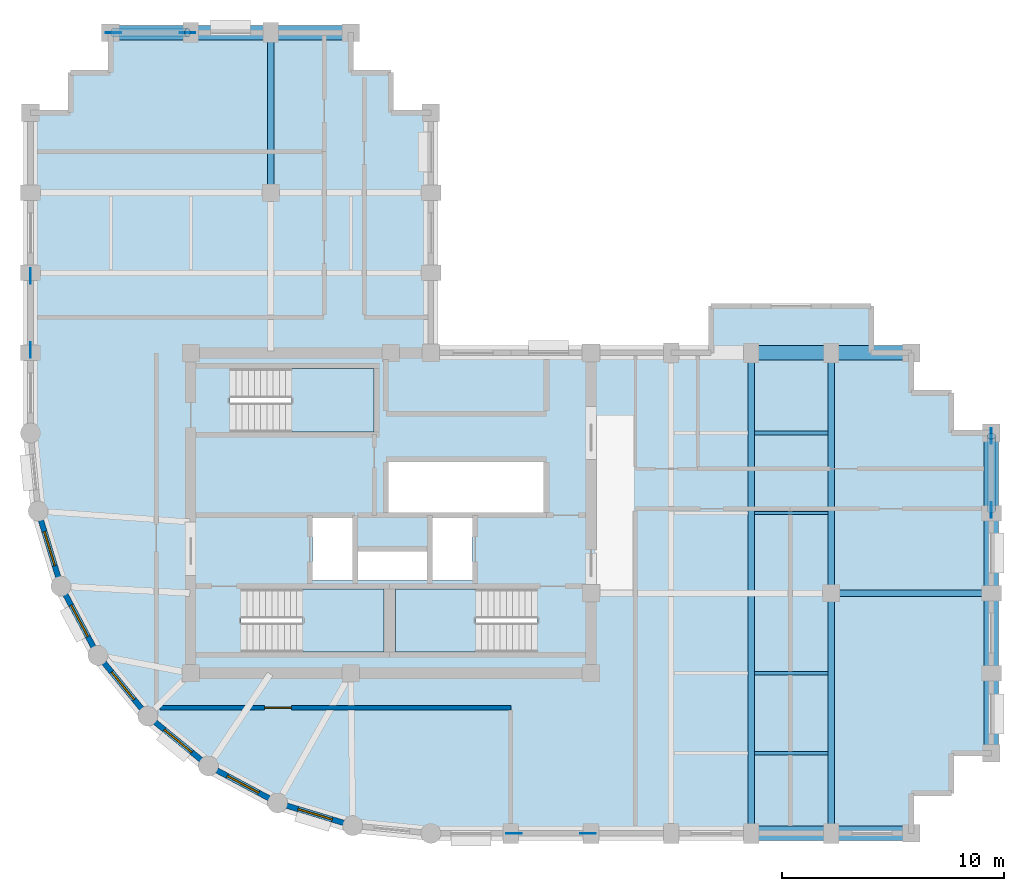
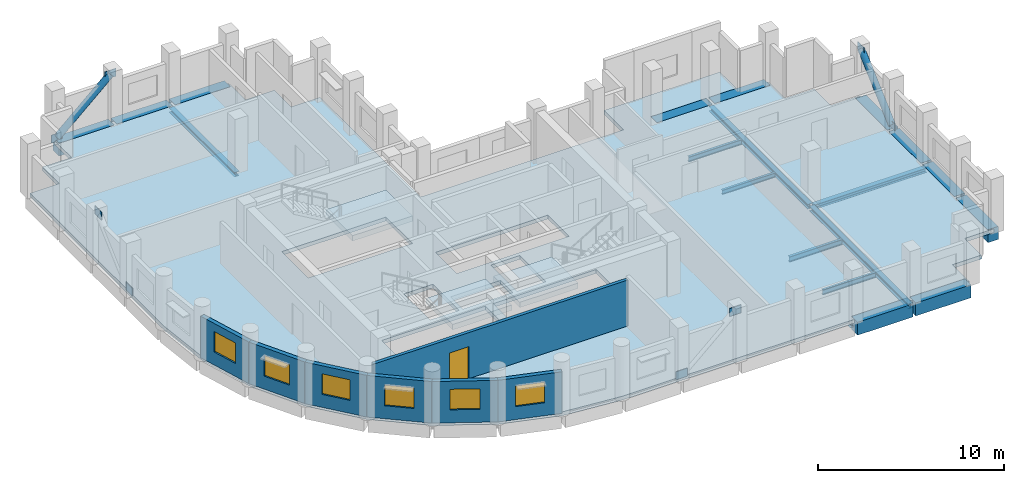
# One storey, part 2 of 7: 20 beams, 8 plates, 7 walls, 6 windows, 4 slabs, 2 members, 1 door, 7 openings, 3 elements without a shape of their own.
"""IFC4 building model written with IfcOpenShell, lengths in metres."""

from ifc_helpers import new_model, si_unit, direction, frame, frame_2d, origin, origin_2d, place, context, subcontext, project, spatial, polyline, rectangle, hollow_circle, i_section, outline, extrude, material, layer, layer_set, material_profile, profile_set, type_object, element, fill, aggregate, save


model = new_model("IFC4")

# Units and contexts
model_context = context("Model", 3, precision=1e-05, world=origin(), true_north=direction((0.0, 1.0)))
body_context = subcontext(model_context, "Body", "Model", "MODEL_VIEW")
ifc_project = project(units=[si_unit("LENGTHUNIT", "METRE"), si_unit("AREAUNIT", "SQUARE_METRE"), si_unit("VOLUMEUNIT", "CUBIC_METRE"), si_unit("PLANEANGLEUNIT", "RADIAN"), si_unit("MASSUNIT", "GRAM", prefix="KILO")], contexts=[model_context])

# Site, building, storey
site_placement = place(None, origin())
site = spatial("IfcSite", under=ifc_project, at=site_placement, CompositionType="ELEMENT")
building_placement = place(site_placement, origin())
building = spatial("IfcBuilding", under=site, at=building_placement, Name="Solnavia Interchange Tower", CompositionType="ELEMENT")
storey_placement = place(building_placement, frame((0.0, 0.0, 213.800048828125)))
storey = spatial("IfcBuildingStorey", under=building, at=storey_placement, Name="L53", CompositionType="ELEMENT", Elevation=213.800048828125)

# Beams
ifc_material_1 = material(Name="Steel S460", Category="steel")
ifc_material_profile_1 = material_profile(ifc_material_1, i_section(OverallWidth=0.300048828125, OverallDepth=0.300048828125, WebThickness=0.010986328125, FlangeThickness=0.01904296875, FilletRadius=0.027099609375, at=origin_2d()), Name="HEB 300")
ifc_profile_set_1 = profile_set([ifc_material_profile_1], Name="Steel S460")
beam_type_1 = type_object("IfcBeamType", Name="Beam-Girder-HEB300", PredefinedType="BEAM", material=ifc_profile_set_1)
beam_1_placement = place(storey_placement, frame((43.280029296875, 14.39990234375, -0.400146484375), z_axis=(1.0, 0.0, 0.0), x_axis=(0.0, 1.0, 0.0)))
element("IfcBeam", 1, at=beam_1_placement, inside=storey, type_object=beam_type_1, Name="GRD-L53-ES02 East wing spine girder", PredefinedType="BEAM", context=body_context, shape_type="SweptSolid", body=[
    extrude(i_section(OverallWidth=0.300048828125, OverallDepth=0.300048828125, WebThickness=0.010986328125, FlangeThickness=0.01904296875, FilletRadius=0.027099609375, at=origin_2d()), origin(), (0.0, 0.0, 1.0), 7.0400390625),
])
beam_2_placement = place(storey_placement, frame((39.60009765625, 3.679931640625, -0.400146484375), z_axis=(0.0, 1.0, 0.0), x_axis=(-1.0, 0.0, 0.0)))
element("IfcBeam", 2, at=beam_2_placement, inside=storey, type_object=beam_type_1, Name="GRD-L53-EW04 East wing primary floor girder", PredefinedType="BEAM", context=body_context, shape_type="SweptSolid", body=[
    extrude(i_section(OverallWidth=0.300048828125, OverallDepth=0.300048828125, WebThickness=0.010986328125, FlangeThickness=0.01904296875, FilletRadius=0.027099609375, at=origin_2d()), origin(), (0.0, 0.0, 1.0), 21.440185546875),
])
beam_3_placement = place(storey_placement, frame((18.0, 32.47998046875, -0.400146484375), z_axis=(0.0, 1.0, 0.0), x_axis=(-1.0, 0.0, 0.0)))
element("IfcBeam", 3, at=beam_3_placement, inside=storey, type_object=beam_type_1, Name="GRD-L53-NS08 North wing spine girder", PredefinedType="BEAM", context=body_context, shape_type="SweptSolid", body=[
    extrude(i_section(OverallWidth=0.300048828125, OverallDepth=0.300048828125, WebThickness=0.010986328125, FlangeThickness=0.01904296875, FilletRadius=0.027099609375, at=origin_2d()), origin(), (0.0, 0.0, 1.0), 7.0400390625),
])
ifc_material_2 = material(Name="Steel S355", Category="steel")
ifc_material_profile_2 = material_profile(ifc_material_2, i_section(OverallWidth=0.14990234375, OverallDepth=0.300048828125, WebThickness=0.007080078125, FlangeThickness=0.0107421875, FilletRadius=0.014892578125, at=origin_2d()), Name="IPE 300")
ifc_profile_set_2 = profile_set([ifc_material_profile_2], Name="Steel S355")
beam_type_2 = type_object("IfcBeamType", Name="Beam-Joist-IPE300", PredefinedType="JOIST", material=ifc_profile_set_2)
beam_4_placement = place(storey_placement, frame((39.75, 18.0, -0.400146484375), z_axis=(1.0, 0.0, 0.0), x_axis=(0.0, 1.0, 0.0)))
element("IfcBeam", 4, at=beam_4_placement, inside=storey, type_object=beam_type_2, Name="JST-L53-E06 East wing secondary joist", PredefinedType="JOIST", context=body_context, shape_type="SweptSolid", body=[
    extrude(i_section(OverallWidth=0.14990234375, OverallDepth=0.300048828125, WebThickness=0.007080078125, FlangeThickness=0.0107421875, FilletRadius=0.014892578125, at=origin_2d()), origin(), (0.0, 0.0, 1.0), 3.300048828125),
])
ifc_material_profile_3 = material_profile(ifc_material_2, i_section(OverallWidth=0.159912109375, OverallDepth=0.330078125, WebThickness=0.007568359375, FlangeThickness=0.011474609375, FilletRadius=0.01806640625, at=origin_2d()), Name="IPE 330")
ifc_profile_set_3 = profile_set([ifc_material_profile_3], Name="Steel S355")
beam_type_3 = type_object("IfcBeamType", Name="Beam-Joist-IPE330", PredefinedType="JOIST", material=ifc_profile_set_3)
for number, where, z_axis, x_axis, name in (
    (5, (39.75, 7.199951171875, -0.4150390625), (1.0, 0.0, 0.0), (0.0, 1.0, 0.0), "JST-L53-E02 East wing secondary joist"),
    (6, (39.75, 21.60009765625, -0.4150390625), (1.0, 0.0, 0.0), (0.0, 1.0, 0.0), "JST-L53-E08 East wing secondary joist"),
):
    element("IfcBeam", number, at=place(storey_placement, frame(where, z_axis=z_axis, x_axis=x_axis)), inside=storey, type_object=beam_type_3, Name=name, PredefinedType="JOIST", context=body_context, shape_type="SweptSolid", body=[
        extrude(i_section(OverallWidth=0.159912109375, OverallDepth=0.330078125, WebThickness=0.007568359375, FlangeThickness=0.011474609375, FilletRadius=0.01806640625, at=origin_2d()), origin(), (0.0, 0.0, 1.0), 3.300048828125),
    ])
ifc_material_profile_4 = material_profile(ifc_material_2, i_section(OverallWidth=0.169921875, OverallDepth=0.360107421875, WebThickness=0.008056640625, FlangeThickness=0.0126953125, FilletRadius=0.01806640625, at=origin_2d()), Name="IPE 360")
ifc_profile_set_4 = profile_set([ifc_material_profile_4], Name="Steel S355")
beam_type_4 = type_object("IfcBeamType", Name="Beam-Joist-IPE360", PredefinedType="JOIST", material=ifc_profile_set_4)
beam_5_placement = place(storey_placement, frame((39.75, 10.800048828125, -0.429931640625), z_axis=(1.0, 0.0, 0.0), x_axis=(0.0, 1.0, 0.0)))
element("IfcBeam", 7, at=beam_5_placement, inside=storey, type_object=beam_type_4, Name="JST-L53-E04 East wing secondary joist", PredefinedType="JOIST", context=body_context, shape_type="SweptSolid", body=[
    extrude(i_section(OverallWidth=0.169921875, OverallDepth=0.360107421875, WebThickness=0.008056640625, FlangeThickness=0.0126953125, FilletRadius=0.01806640625, at=origin_2d()), origin(), (0.0, 0.0, 1.0), 3.300048828125),
])
ifc_material_profile_5 = material_profile(ifc_material_2, i_section(OverallWidth=0.300048828125, OverallDepth=0.31005859375, WebThickness=0.009033203125, FlangeThickness=0.015380859375, FilletRadius=0.027099609375, at=origin_2d()), Name="HEA 320")
ifc_profile_set_5 = profile_set([ifc_material_profile_5], Name="Steel S355")
beam_type_5 = type_object("IfcBeamType", Name="Beam-Primary-HEA320", PredefinedType="BEAM", material=ifc_profile_set_5)
for number, where, z_axis, x_axis, name in (
    (8, (43.199951171875, 3.679931640625, -0.405029296875), (0.0, 1.0, 0.0), (-1.0, 0.0, 0.0), "GRD-L53-EW05 East wing primary floor girder"),
    (9, (43.199951171875, 14.47998046875, -0.405029296875), (0.0, 1.0, 0.0), (-1.0, 0.0, 0.0), "GRD-L53-EW06 East wing primary floor girder"),
):
    element("IfcBeam", number, at=place(storey_placement, frame(where, z_axis=z_axis, x_axis=x_axis)), inside=storey, type_object=beam_type_5, Name=name, PredefinedType="BEAM", context=body_context, shape_type="SweptSolid", body=[
        extrude(i_section(OverallWidth=0.300048828125, OverallDepth=0.31005859375, WebThickness=0.009033203125, FlangeThickness=0.015380859375, FilletRadius=0.027099609375, at=origin_2d()), origin(), (0.0, 0.0, 1.0), 10.64013671875),
    ])
ifc_material_3 = material(Name="Concrete C50/60", Category="concrete")
ifc_material_profile_6 = material_profile(ifc_material_3, rectangle(XDim=0.64990234375, YDim=0.85009765625, at=origin_2d()), Name="RC 650x850")
ifc_profile_set_6 = profile_set([ifc_material_profile_6], Name="Concrete C50/60")
beam_type_6 = type_object("IfcBeamType", Name="Beam-Spandrel-RC650x850", PredefinedType="SPANDREL", material=ifc_profile_set_6)
beam_6_placement = place(storey_placement, frame((39.679931640625, 3.60009765625, -0.425048828125), z_axis=(1.0, 0.0, 0.0), x_axis=(0.0, 1.0, 0.0)))
element("IfcBeam", 10, at=beam_6_placement, inside=storey, type_object=beam_type_6, Name="SPB-L53-13 Framed-tube perimeter spandrel beam", PredefinedType="SPANDREL", context=body_context, shape_type="SweptSolid", body=[
    extrude(rectangle(XDim=0.64990234375, YDim=0.85009765625, at=origin_2d()), origin(), (0.0, 0.0, 1.0), 3.440185546875),
])
for number, where, z_axis, x_axis, name in (
    (11, (43.280029296875, 3.60009765625, -0.425048828125), (1.0, 0.0, 0.0), (0.0, 1.0, 0.0), "SPB-L53-14 Framed-tube perimeter spandrel beam"),
    (12, (50.39990234375, 7.280029296875, -0.425048828125), (0.0, 1.0, 0.0), (-1.0, 0.0, 0.0), "SPB-L53-15 Framed-tube perimeter spandrel beam"),
):
    element("IfcBeam", number, at=place(storey_placement, frame(where, z_axis=z_axis, x_axis=x_axis)), inside=storey, type_object=beam_type_6, Name=name, PredefinedType="SPANDREL", context=body_context, shape_type="SweptSolid", body=[
        extrude(rectangle(XDim=0.64990234375, YDim=0.85009765625, at=origin_2d()), origin(), (0.0, 0.0, 1.0), 3.43994140625),
    ])
beam_7_placement = place(storey_placement, frame((50.39990234375, 10.8798828125, -0.425048828125), z_axis=(0.0, 1.0, 0.0), x_axis=(-1.0, 0.0, 0.0)))
element("IfcBeam", 13, at=beam_7_placement, inside=storey, type_object=beam_type_6, Name="SPB-L53-16 Framed-tube perimeter spandrel beam", PredefinedType="SPANDREL", context=body_context, shape_type="SweptSolid", body=[
    extrude(rectangle(XDim=0.64990234375, YDim=0.85009765625, at=origin_2d()), origin(), (0.0, 0.0, 1.0), 3.440185546875),
])
for number, where, z_axis, x_axis, name in (
    (14, (50.39990234375, 14.47998046875, -0.425048828125), (0.0, 1.0, 0.0), (-1.0, 0.0, 0.0), "SPB-L53-17 Framed-tube perimeter spandrel beam"),
    (15, (50.39990234375, 18.080078125, -0.425048828125), (0.0, 1.0, 0.0), (-1.0, 0.0, 0.0), "SPB-L53-18 Framed-tube perimeter spandrel beam"),
    (16, (46.719970703125, 25.199951171875, -0.425048828125), (-1.0, 0.0, 0.0), (0.0, -1.0, 0.0), "SPB-L53-19 Framed-tube perimeter spandrel beam"),
):
    element("IfcBeam", number, at=place(storey_placement, frame(where, z_axis=z_axis, x_axis=x_axis)), inside=storey, type_object=beam_type_6, Name=name, PredefinedType="SPANDREL", context=body_context, shape_type="SweptSolid", body=[
        extrude(rectangle(XDim=0.64990234375, YDim=0.85009765625, at=origin_2d()), origin(), (0.0, 0.0, 1.0), 3.43994140625),
    ])
beam_8_placement = place(storey_placement, frame((43.1201171875, 25.199951171875, -0.425048828125), z_axis=(-1.0, 0.0, 0.0), x_axis=(0.0, -1.0, 0.0)))
element("IfcBeam", 17, at=beam_8_placement, inside=storey, type_object=beam_type_6, Name="SPB-L53-20 Framed-tube perimeter spandrel beam", PredefinedType="SPANDREL", context=body_context, shape_type="SweptSolid", body=[
    extrude(rectangle(XDim=0.64990234375, YDim=0.85009765625, at=origin_2d()), origin(), (0.0, 0.0, 1.0), 3.440185546875),
])
for number, where, z_axis, x_axis, name in (
    (18, (21.52001953125, 39.60009765625, -0.425048828125), (-1.0, 0.0, 0.0), (0.0, -1.0, 0.0), "SPB-L53-27 Framed-tube perimeter spandrel beam"),
    (19, (17.919921875, 39.60009765625, -0.425048828125), (-1.0, 0.0, 0.0), (0.0, -1.0, 0.0), "SPB-L53-28 Framed-tube perimeter spandrel beam"),
):
    element("IfcBeam", number, at=place(storey_placement, frame(where, z_axis=z_axis, x_axis=x_axis)), inside=storey, type_object=beam_type_6, Name=name, PredefinedType="SPANDREL", context=body_context, shape_type="SweptSolid", body=[
        extrude(rectangle(XDim=0.64990234375, YDim=0.85009765625, at=origin_2d()), origin(), (0.0, 0.0, 1.0), 3.43994140625),
    ])
beam_9_placement = place(storey_placement, frame((14.320068359375, 39.60009765625, -0.425048828125), z_axis=(-1.0, 0.0, 0.0), x_axis=(0.0, -1.0, 0.0)))
element("IfcBeam", 20, at=beam_9_placement, inside=storey, type_object=beam_type_6, Name="SPB-L53-29 Framed-tube perimeter spandrel beam", PredefinedType="SPANDREL", context=body_context, shape_type="SweptSolid", body=[
    extrude(rectangle(XDim=0.64990234375, YDim=0.85009765625, at=origin_2d()), origin(), (0.0, 0.0, 1.0), 3.440185546875),
])

# Members
ifc_material_profile_7 = material_profile(ifc_material_1, hollow_circle(Radius=0.203125, WallThickness=0.02001953125, at=origin_2d()), Name="CHS 406.4x20")
ifc_profile_set_7 = profile_set([ifc_material_profile_7], Name="Steel S460")
member_type = type_object("IfcMemberType", Name="Brace-Perim-CHS406", PredefinedType="BRACE", material=ifc_profile_set_7)
for number, where, z_axis, x_axis, name in (
    (21, (50.39990234375, 18.139892578125, 0.179931640625), (0.0, 0.74307946371, 0.669203190827), (-1.0, 0.0, 0.0), "BRC-L53-03 Perimeter tube diagonal brace"),
    (22, (10.93994140625, 39.60009765625, 0.179931640625), (0.74307946371, 0.0, 0.669203190827), (0.0, 1.0, 0.0), "BRC-L53-04 Perimeter tube diagonal brace"),
):
    element("IfcMember", number, at=place(storey_placement, frame(where, z_axis=z_axis, x_axis=x_axis)), inside=storey, type_object=member_type, Name=name, PredefinedType="BRACE", context=body_context, shape_type="SweptSolid", body=[
        extrude(hollow_circle(Radius=0.203125, WallThickness=0.02001953125, at=origin_2d()), origin(), (0.0, 0.0, 1.0), 4.468017578125),
    ])

# Plates
ifc_layer_1 = layer(ifc_material_1, 0.030029296875)
ifc_layer_set_1 = layer_set([ifc_layer_1], Name="Steel S460")
plate_type = type_object("IfcPlateType", Name="Plate-Gusset-700x520x30", PredefinedType="USERDEFINED", material=ifc_layer_set_1)
for number, where, z_axis, x_axis, name in (
    (23, (28.93994140625, 3.60009765625, -0.080078125), (0.0, 0.0, 1.0), (1.0, 0.0, 0.0), "PLT-L53-GP01 Perimeter brace gusset plate"),
    (24, (32.260009765625, 3.60009765625, 2.909912109375), (0.0, 0.0, 1.0), (1.0, 0.0, 0.0), "PLT-L53-GP02 Perimeter brace gusset plate"),
    (25, (7.199951171875, 25.340087890625, -0.080078125), (0.0, 0.0, 1.0), (0.0, 1.0, 0.0), "PLT-L53-GP03 Perimeter brace gusset plate"),
    (26, (7.199951171875, 28.659912109375, 2.909912109375), (0.0, 0.0, 1.0), (0.0, 1.0, 0.0), "PLT-L53-GP04 Perimeter brace gusset plate"),
    (27, (50.39990234375, 18.139892578125, -0.080078125), (0.0, 0.0, 1.0), (0.0, 1.0, 0.0), "PLT-L53-GP05 Perimeter brace gusset plate"),
    (28, (50.39990234375, 21.4599609375, 2.909912109375), (0.0, 0.0, 1.0), (0.0, 1.0, 0.0), "PLT-L53-GP06 Perimeter brace gusset plate"),
    (29, (10.93994140625, 39.60009765625, -0.080078125), (0.0, 0.0, 1.0), (1.0, 0.0, 0.0), "PLT-L53-GP07 Perimeter brace gusset plate"),
    (30, (14.260009765625, 39.60009765625, 2.909912109375), (0.0, 0.0, 1.0), (1.0, 0.0, 0.0), "PLT-L53-GP08 Perimeter brace gusset plate"),
):
    element("IfcPlate", number, at=place(storey_placement, frame(where, z_axis=z_axis, x_axis=x_axis)), inside=storey, type_object=plate_type, Name=name, ObjectType="GUSSET PLATE", PredefinedType="USERDEFINED", context=body_context, shape_type="SweptSolid", body=[
        extrude(rectangle(XDim=0.699951171875, YDim=0.030029296875, at=origin_2d()), origin(), (0.0, 0.0, 1.0), 0.52001953125),
    ])

# Stair, slab
ifc_material_4 = material(Name="Concrete C40/50", Category="concrete")
stair_type = type_object("IfcStairType", Name="Stair-Dogleg-RC", PredefinedType="HALF_TURN_STAIR", material=ifc_material_4)
stair_1_placement = place(storey_placement, origin())
stair_1 = element("IfcStair", 31, at=stair_1_placement, inside=storey, type_object=stair_type, Name="L53 Core exit stair 1", PredefinedType="HALF_TURN_STAIR")
ifc_layer_2 = layer(ifc_material_4, 0.35009765625)
ifc_layer_set_2 = layer_set([ifc_layer_2], Name="Concrete C40/50")
slab_type_1 = type_object("IfcSlabType", Name="Slab-StairLanding-350", PredefinedType="LANDING", material=ifc_layer_set_2)
slab_1_placement = place(storey_placement, frame((0.0, 0.0, 1.449951171875)))
slab_1 = element("IfcSlab", 32, at=slab_1_placement, type_object=slab_type_1, Name="ST-1 landing 1", PredefinedType="LANDING", context=body_context, shape_type="SweptSolid", body=[
    extrude(outline(polyline([(19.427978515625, 11.75), (23.10009765625, 11.75), (23.10009765625, 14.590087890625), (19.427978515625, 14.590087890625), (19.427978515625, 11.75)])), origin(), (0.0, 0.0, 1.0), 0.35009765625),
])
aggregate(stair_1, [slab_1])

stair_2_placement = place(storey_placement, origin())
stair_2 = element("IfcStair", 33, at=stair_2_placement, inside=storey, type_object=stair_type, Name="L53 Core exit stair 2", PredefinedType="HALF_TURN_STAIR")
slab_2_placement = place(storey_placement, frame((0.0, 0.0, 1.449951171875)))
slab_2 = element("IfcSlab", 34, at=slab_2_placement, type_object=slab_type_1, Name="ST-2 landing 1", PredefinedType="LANDING", context=body_context, shape_type="SweptSolid", body=[
    extrude(outline(polyline([(23.60009765625, 11.75), (27.221923828125, 11.75), (27.221923828125, 14.590087890625), (23.60009765625, 14.590087890625), (23.60009765625, 11.75)])), origin(), (0.0, 0.0, 1.0), 0.35009765625),
])
aggregate(stair_2, [slab_2])

stair_3_placement = place(storey_placement, origin())
stair_3 = element("IfcStair", 35, at=stair_3_placement, inside=storey, type_object=stair_type, Name="L53 Core exit stair 3", PredefinedType="HALF_TURN_STAIR")
slab_3_placement = place(storey_placement, frame((0.0, 0.0, 1.449951171875)))
slab_3 = element("IfcSlab", 36, at=slab_3_placement, type_object=slab_type_1, Name="ST-3 landing 1", PredefinedType="LANDING", context=body_context, shape_type="SweptSolid", body=[
    extrude(outline(polyline([(18.927978515625, 21.64990234375), (22.64990234375, 21.64990234375), (22.64990234375, 24.489990234375), (18.927978515625, 24.489990234375), (18.927978515625, 21.64990234375)])), origin(), (0.0, 0.0, 1.0), 0.35009765625),
])
aggregate(stair_3, [slab_3])

# Slab
ifc_layer_3 = layer(ifc_material_4, 0.25)
ifc_layer_set_3 = layer_set([ifc_layer_3], Name="Concrete C40/50")
slab_type_2 = type_object("IfcSlabType", Name="Slab-Tower-250", PredefinedType="FLOOR", material=ifc_layer_set_3)
slab_4_placement = place(storey_placement, frame((0.0, 0.0, -0.25)))
element("IfcSlab", 37, at=slab_4_placement, inside=storey, type_object=slab_type_2, Name="SLB-L53-01 Structural floor slab", PredefinedType="FLOOR", context=body_context, shape_type="SweptSolid", body=[
    extrude(outline(polyline([(25.199951171875, 3.60009765625), (46.800048828125, 3.60009765625), (46.800048828125, 5.39990234375), (48.60009765625, 5.39990234375), (48.60009765625, 7.199951171875), (50.39990234375, 7.199951171875), (50.39990234375, 21.60009765625), (48.60009765625, 21.60009765625), (48.60009765625, 23.39990234375), (46.800048828125, 23.39990234375), (46.800048828125, 25.199951171875), (45.0, 25.199951171875), (45.0, 27.300048828125), (37.800048828125, 27.300048828125), (37.800048828125, 25.199951171875), (25.199951171875, 25.199951171875), (25.199951171875, 36.0), (23.39990234375, 36.0), (23.39990234375, 37.800048828125), (21.60009765625, 37.800048828125), (21.60009765625, 39.60009765625), (10.800048828125, 39.60009765625), (10.800048828125, 37.800048828125), (9.0, 37.800048828125), (9.0, 36.0), (7.199951171875, 36.0), (7.199951171875, 21.60009765625), (7.5458984375, 18.087890625), (8.570068359375, 14.7119140625), (10.23388671875, 11.60009765625), (12.471923828125, 8.8720703125), (15.199951171875, 6.634033203125), (18.31201171875, 4.969970703125), (21.68798828125, 3.946044921875), (25.199951171875, 3.60009765625)]), holes=[polyline([(16.675048828125, 11.75), (23.10009765625, 11.75), (23.10009765625, 14.590087890625), (16.675048828125, 14.590087890625), (16.675048828125, 11.75)]), polyline([(23.60009765625, 11.75), (29.97509765625, 11.75), (29.97509765625, 14.590087890625), (23.60009765625, 14.590087890625), (23.60009765625, 11.75)]), polyline([(16.175048828125, 21.64990234375), (22.64990234375, 21.64990234375), (22.64990234375, 24.489990234375), (16.175048828125, 24.489990234375), (16.175048828125, 21.64990234375)]), polyline([(19.8798828125, 14.9599609375), (21.679931640625, 14.9599609375), (21.679931640625, 17.780029296875), (19.8798828125, 17.780029296875), (19.8798828125, 14.9599609375)]), polyline([(25.280029296875, 14.9599609375), (27.080078125, 14.9599609375), (27.080078125, 17.780029296875), (25.280029296875, 17.780029296875), (25.280029296875, 14.9599609375)]), polyline([(21.919921875, 14.9599609375), (25.02001953125, 14.9599609375), (25.02001953125, 16.280029296875), (21.919921875, 16.280029296875), (21.919921875, 14.9599609375)]), polyline([(23.300048828125, 18.02001953125), (30.280029296875, 18.02001953125), (30.280029296875, 20.300048828125), (23.300048828125, 20.300048828125), (23.300048828125, 18.02001953125)])]), origin(), (0.0, 0.0, 1.0), 0.25),
])

# Wall, opening, window
ifc_layer_4 = layer(ifc_material_4, 0.25)
ifc_layer_set_4 = layer_set([ifc_layer_4], Name="Concrete C40/50")
wall_type_1 = type_object("IfcWallType", Name="Wall-ExtSpandrel-250", PredefinedType="STANDARD", material=ifc_layer_set_4)
wall_1_placement = place(storey_placement, frame((8.570068359375, 14.7119140625, 0.0), z_axis=(0.0, 0.0, 1.0), x_axis=(-0.290305086481, 0.956934144423, 0.0)))
wall_1 = element("IfcWall", 38, at=wall_1_placement, inside=storey, type_object=wall_type_1, Name="EXW-L53-48 Exterior precast spandrel wall", PredefinedType="STANDARD", context=body_context, shape_type="SweptSolid", body=[
    extrude(rectangle(XDim=3.52783203125, YDim=0.25, at=frame_2d((1.763916015625, 0.0))), origin(), (0.0, 0.0, 1.0), 2.72998046875),
])
opening_1_placement = place(wall_1_placement, frame((0.964111328125, 0.0, 0.85009765625)))
opening_1 = element("IfcOpeningElement", 39, at=opening_1_placement, cuts=wall_1, Name="Opening WIN-04", PredefinedType="OPENING", context=body_context, shape_type="SweptSolid", body=[
    extrude(rectangle(XDim=1.60009765625, YDim=1.35009765625, at=frame_2d((0.800048828125, 0.675048828125))), frame((0.0, 0.135009765625, 0.0), z_axis=(0.0, -1.0, 0.0), x_axis=(1.0, 0.0, 0.0)), (0.0, 0.0, 1.0), 0.27001953125),
])
ifc_material_5 = material(Name="Thermal-Break Aluminium & Low-E Glass", Category="aluminium")
window_type = type_object("IfcWindowType", Name="Window-Drum-1600x1350", PartitioningType="SINGLE_PANEL", PredefinedType="WINDOW", material=ifc_material_5)
window_1_placement = place(opening_1_placement, origin())
window_1 = element("IfcWindow", 40, at=window_1_placement, inside=storey, type_object=window_type, Name="WIN-L53-48 Facade ribbon window", OverallHeight=1.35009765625, OverallWidth=1.60009765625, PartitioningType="SINGLE_PANEL", PredefinedType="WINDOW", context=body_context, shape_type="SweptSolid", body=[
    extrude(rectangle(XDim=1.60009765625, YDim=1.35009765625, at=frame_2d((0.800048828125, 0.675048828125))), frame((0.0, 0.030029296875, 0.0), z_axis=(0.0, -1.0, 0.0), x_axis=(1.0, 0.0, 0.0)), (0.0, 0.0, 1.0), 0.06005859375),
])
fill(opening_1, window_1)

wall_2_placement = place(storey_placement, frame((10.23388671875, 11.60009765625, 0.0), z_axis=(0.0, 0.0, 1.0), x_axis=(-0.47151087309, 0.881860247748, 0.0)))
wall_2 = element("IfcWall", 41, at=wall_2_placement, inside=storey, type_object=wall_type_1, Name="EXW-L53-49 Exterior precast spandrel wall", PredefinedType="STANDARD", context=body_context, shape_type="SweptSolid", body=[
    extrude(rectangle(XDim=3.52880859375, YDim=0.25, at=frame_2d((1.764404296875, 0.0))), origin(), (0.0, 0.0, 1.0), 2.72998046875),
])
opening_2_placement = place(wall_2_placement, frame((0.964111328125, 0.0, 0.85009765625)))
opening_2 = element("IfcOpeningElement", 42, at=opening_2_placement, cuts=wall_2, Name="Opening WIN-04", PredefinedType="OPENING", context=body_context, shape_type="SweptSolid", body=[
    extrude(rectangle(XDim=1.60009765625, YDim=1.35009765625, at=frame_2d((0.800048828125, 0.675048828125))), frame((0.0, 0.135009765625, 0.0), z_axis=(0.0, -1.0, 0.0), x_axis=(1.0, 0.0, 0.0)), (0.0, 0.0, 1.0), 0.27001953125),
])
window_2_placement = place(opening_2_placement, origin())
window_2 = element("IfcWindow", 43, at=window_2_placement, inside=storey, type_object=window_type, Name="WIN-L53-49 Facade ribbon window", OverallHeight=1.35009765625, OverallWidth=1.60009765625, PartitioningType="SINGLE_PANEL", PredefinedType="WINDOW", context=body_context, shape_type="SweptSolid", body=[
    extrude(rectangle(XDim=1.60009765625, YDim=1.35009765625, at=frame_2d((0.800048828125, 0.675048828125))), frame((0.0, 0.030029296875, 0.0), z_axis=(0.0, -1.0, 0.0), x_axis=(1.0, 0.0, 0.0)), (0.0, 0.0, 1.0), 0.06005859375),
])
fill(opening_2, window_2)

wall_3_placement = place(storey_placement, frame((12.471923828125, 8.8720703125, 0.0), z_axis=(0.0, 0.0, 1.0), x_axis=(-0.634258295121, 0.773121216285, 0.0)))
wall_3 = element("IfcWall", 44, at=wall_3_placement, inside=storey, type_object=wall_type_1, Name="EXW-L53-50 Exterior precast spandrel wall", PredefinedType="STANDARD", context=body_context, shape_type="SweptSolid", body=[
    extrude(rectangle(XDim=3.528564453125, YDim=0.25, at=frame_2d((1.76416015625, 0.0))), origin(), (0.0, 0.0, 1.0), 2.72998046875),
])
opening_3_placement = place(wall_3_placement, frame((0.964111328125, 0.0, 0.85009765625)))
opening_3 = element("IfcOpeningElement", 45, at=opening_3_placement, cuts=wall_3, Name="Opening WIN-04", PredefinedType="OPENING", context=body_context, shape_type="SweptSolid", body=[
    extrude(rectangle(XDim=1.60009765625, YDim=1.35009765625, at=frame_2d((0.800048828125, 0.675048828125))), frame((0.0, 0.135009765625, 0.0), z_axis=(0.0, -1.0, 0.0), x_axis=(1.0, 0.0, 0.0)), (0.0, 0.0, 1.0), 0.27001953125),
])
window_3_placement = place(opening_3_placement, origin())
window_3 = element("IfcWindow", 46, at=window_3_placement, inside=storey, type_object=window_type, Name="WIN-L53-50 Facade ribbon window", OverallHeight=1.35009765625, OverallWidth=1.60009765625, PartitioningType="SINGLE_PANEL", PredefinedType="WINDOW", context=body_context, shape_type="SweptSolid", body=[
    extrude(rectangle(XDim=1.60009765625, YDim=1.35009765625, at=frame_2d((0.800048828125, 0.675048828125))), frame((0.0, 0.030029296875, 0.0), z_axis=(0.0, -1.0, 0.0), x_axis=(1.0, 0.0, 0.0)), (0.0, 0.0, 1.0), 0.06005859375),
])
fill(opening_3, window_3)

wall_4_placement = place(storey_placement, frame((15.199951171875, 6.634033203125, 0.0), z_axis=(0.0, 0.0, 1.0), x_axis=(-0.773121216285, 0.634258295121, 0.0)))
wall_4 = element("IfcWall", 47, at=wall_4_placement, inside=storey, type_object=wall_type_1, Name="EXW-L53-51 Exterior precast spandrel wall", PredefinedType="STANDARD", context=body_context, shape_type="SweptSolid", body=[
    extrude(rectangle(XDim=3.528564453125, YDim=0.25, at=frame_2d((1.76416015625, 0.0))), origin(), (0.0, 0.0, 1.0), 2.72998046875),
])
opening_4_placement = place(wall_4_placement, frame((0.964111328125, 0.0, 0.85009765625)))
opening_4 = element("IfcOpeningElement", 48, at=opening_4_placement, cuts=wall_4, Name="Opening WIN-04", PredefinedType="OPENING", context=body_context, shape_type="SweptSolid", body=[
    extrude(rectangle(XDim=1.60009765625, YDim=1.35009765625, at=frame_2d((0.800048828125, 0.675048828125))), frame((0.0, 0.135009765625, 0.0), z_axis=(0.0, -1.0, 0.0), x_axis=(1.0, 0.0, 0.0)), (0.0, 0.0, 1.0), 0.27001953125),
])
window_4_placement = place(opening_4_placement, origin())
window_4 = element("IfcWindow", 49, at=window_4_placement, inside=storey, type_object=window_type, Name="WIN-L53-51 Facade ribbon window", OverallHeight=1.35009765625, OverallWidth=1.60009765625, PartitioningType="SINGLE_PANEL", PredefinedType="WINDOW", context=body_context, shape_type="SweptSolid", body=[
    extrude(rectangle(XDim=1.60009765625, YDim=1.35009765625, at=frame_2d((0.800048828125, 0.675048828125))), frame((0.0, 0.030029296875, 0.0), z_axis=(0.0, -1.0, 0.0), x_axis=(1.0, 0.0, 0.0)), (0.0, 0.0, 1.0), 0.06005859375),
])
fill(opening_4, window_4)

wall_5_placement = place(storey_placement, frame((18.31201171875, 4.969970703125, 0.0), z_axis=(0.0, 0.0, 1.0), x_axis=(-0.881846862014, 0.471535907389, 0.0)))
wall_5 = element("IfcWall", 50, at=wall_5_placement, inside=storey, type_object=wall_type_1, Name="EXW-L53-52 Exterior precast spandrel wall", PredefinedType="STANDARD", context=body_context, shape_type="SweptSolid", body=[
    extrude(rectangle(XDim=3.529052734375, YDim=0.25, at=frame_2d((1.7646484375, 0.0))), origin(), (0.0, 0.0, 1.0), 2.72998046875),
])
opening_5_placement = place(wall_5_placement, frame((0.964111328125, 0.0, 0.85009765625)))
opening_5 = element("IfcOpeningElement", 51, at=opening_5_placement, cuts=wall_5, Name="Opening WIN-04", PredefinedType="OPENING", context=body_context, shape_type="SweptSolid", body=[
    extrude(rectangle(XDim=1.60009765625, YDim=1.35009765625, at=frame_2d((0.800048828125, 0.675048828125))), frame((0.0, 0.135009765625, 0.0), z_axis=(0.0, -1.0, 0.0), x_axis=(1.0, 0.0, 0.0)), (0.0, 0.0, 1.0), 0.27001953125),
])
window_5_placement = place(opening_5_placement, origin())
window_5 = element("IfcWindow", 52, at=window_5_placement, inside=storey, type_object=window_type, Name="WIN-L53-52 Facade ribbon window", OverallHeight=1.35009765625, OverallWidth=1.60009765625, PartitioningType="SINGLE_PANEL", PredefinedType="WINDOW", context=body_context, shape_type="SweptSolid", body=[
    extrude(rectangle(XDim=1.60009765625, YDim=1.35009765625, at=frame_2d((0.800048828125, 0.675048828125))), frame((0.0, 0.030029296875, 0.0), z_axis=(0.0, -1.0, 0.0), x_axis=(1.0, 0.0, 0.0)), (0.0, 0.0, 1.0), 0.06005859375),
])
fill(opening_5, window_5)

wall_6_placement = place(storey_placement, frame((21.68798828125, 3.946044921875, 0.0), z_axis=(0.0, 0.0, 1.0), x_axis=(-0.956953367403, 0.290241714123, 0.0)))
wall_6 = element("IfcWall", 53, at=wall_6_placement, inside=storey, type_object=wall_type_1, Name="EXW-L53-53 Exterior precast spandrel wall", PredefinedType="STANDARD", context=body_context, shape_type="SweptSolid", body=[
    extrude(rectangle(XDim=3.52783203125, YDim=0.25, at=frame_2d((1.763916015625, 0.0))), origin(), (0.0, 0.0, 1.0), 2.72998046875),
])
opening_6_placement = place(wall_6_placement, frame((0.964111328125, 0.0, 0.85009765625)))
opening_6 = element("IfcOpeningElement", 54, at=opening_6_placement, cuts=wall_6, Name="Opening WIN-04", PredefinedType="OPENING", context=body_context, shape_type="SweptSolid", body=[
    extrude(rectangle(XDim=1.60009765625, YDim=1.35009765625, at=frame_2d((0.800048828125, 0.675048828125))), frame((0.0, 0.135009765625, 0.0), z_axis=(0.0, -1.0, 0.0), x_axis=(1.0, 0.0, 0.0)), (0.0, 0.0, 1.0), 0.27001953125),
])
window_6_placement = place(opening_6_placement, origin())
window_6 = element("IfcWindow", 55, at=window_6_placement, inside=storey, type_object=window_type, Name="WIN-L53-53 Facade ribbon window", OverallHeight=1.35009765625, OverallWidth=1.60009765625, PartitioningType="SINGLE_PANEL", PredefinedType="WINDOW", context=body_context, shape_type="SweptSolid", body=[
    extrude(rectangle(XDim=1.60009765625, YDim=1.35009765625, at=frame_2d((0.800048828125, 0.675048828125))), frame((0.0, 0.030029296875, 0.0), z_axis=(0.0, -1.0, 0.0), x_axis=(1.0, 0.0, 0.0)), (0.0, 0.0, 1.0), 0.06005859375),
])
fill(opening_6, window_6)

# Wall, opening, door
ifc_layer_5 = layer(ifc_material_4, 0.199951171875)
ifc_layer_set_5 = layer_set([ifc_layer_5], Name="Concrete C40/50")
wall_type_2 = type_object("IfcWallType", Name="Wall-PlantFire-200", PredefinedType="PARTITIONING", material=ifc_layer_set_5)
wall_7_placement = place(storey_placement, frame((13.030029296875, 9.25, 0.0), z_axis=(0.0, 0.0, 1.0), x_axis=(1.0, 0.0, 0.0)))
wall_7 = element("IfcWall", 56, at=wall_7_placement, inside=storey, type_object=wall_type_2, Name="PTW-L53-02 Interior partition wall", PredefinedType="PARTITIONING", context=body_context, shape_type="SweptSolid", body=[
    extrude(rectangle(XDim=15.77001953125, YDim=0.199951171875, at=frame_2d((7.885009765625, 0.0))), origin(), (0.0, 0.0, 1.0), 3.02001953125),
])
opening_7_placement = place(wall_7_placement, frame((4.697021484375, 0.0, 0.0)))
opening_7 = element("IfcOpeningElement", 57, at=opening_7_placement, cuts=wall_7, Name="Opening DR-02", PredefinedType="OPENING", context=body_context, shape_type="SweptSolid", body=[
    extrude(rectangle(XDim=1.199951171875, YDim=2.10009765625, at=frame_2d((0.60009765625, 1.050048828125))), frame((0.0, 0.10986328125, 0.0), z_axis=(0.0, -1.0, 0.0), x_axis=(1.0, 0.0, 0.0)), (0.0, 0.0, 1.0), 0.219970703125),
])
ifc_material_6 = material(Name="Steel Fire-Rated Vision-Panel Door", Category="steel")
door_type = type_object("IfcDoorType", Name="Door-LobbyFire-1200x2100", OperationType="SINGLE_SWING_RIGHT", PredefinedType="DOOR", material=ifc_material_6)
door_placement = place(opening_7_placement, origin())
door = element("IfcDoor", 58, at=door_placement, inside=storey, type_object=door_type, Name="DR-L53-02 Interior room door", OperationType="SINGLE_SWING_RIGHT", OverallHeight=2.10009765625, OverallWidth=1.199951171875, PredefinedType="DOOR", context=body_context, shape_type="SweptSolid", body=[
    extrude(rectangle(XDim=1.199951171875, YDim=2.10009765625, at=frame_2d((0.60009765625, 1.050048828125))), frame((0.0, 0.02490234375, 0.0), z_axis=(0.0, -1.0, 0.0), x_axis=(1.0, 0.0, 0.0)), (0.0, 0.0, 1.0), 0.050048828125),
])
fill(opening_7, door)

save(model, "model.ifc")
